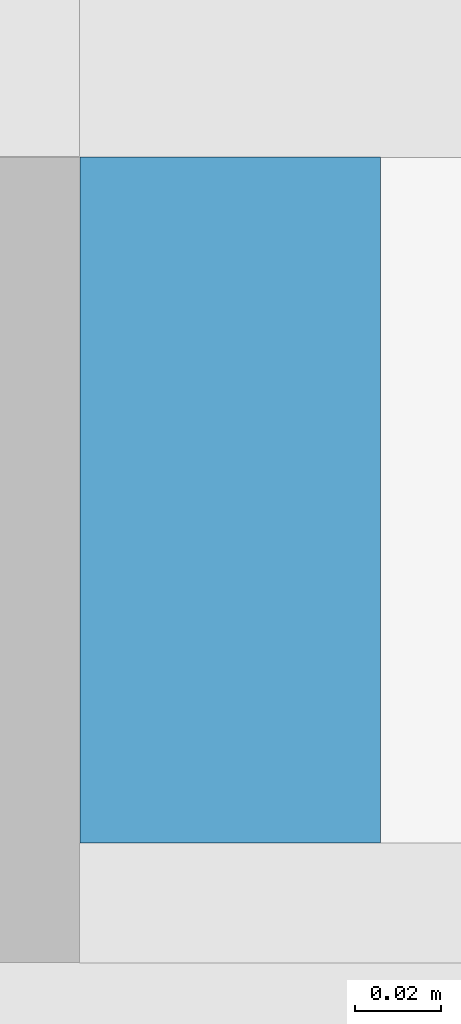
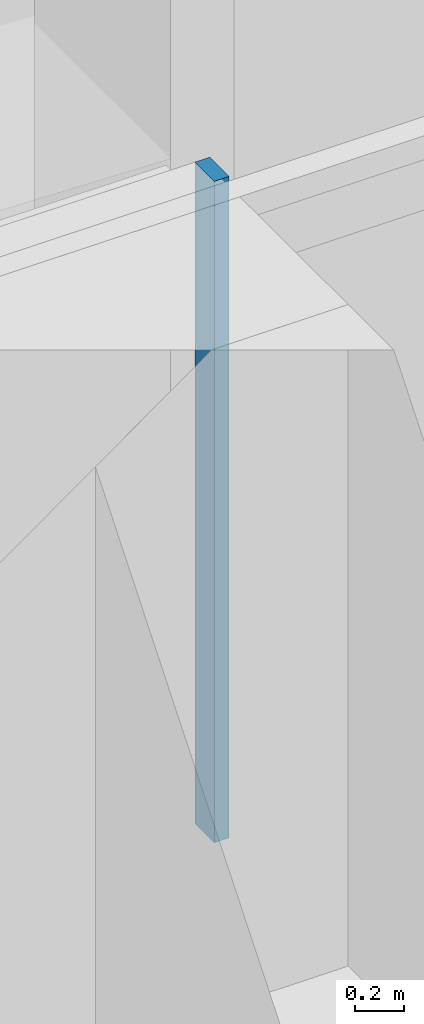
# One storey, part 10 of 30: 1 member, 1 element without a shape of its own.
"""IFC4 building model written with IfcOpenShell, lengths in metres."""

from ifc_helpers import new_model, si_unit, direction, frame, origin, origin_2d, place, context, subcontext, project, spatial, rectangle, extrude, material, material_profile, profile_set, type_object, element, aggregate, save


model = new_model("IFC4")

# Units and contexts
model_context = context("Model", 3, precision=1e-05, world=origin(), true_north=direction((0.0, 1.0)))
body_context = subcontext(model_context, "Body", "Model", "MODEL_VIEW")
ifc_project = project(units=[si_unit("LENGTHUNIT", "METRE"), si_unit("AREAUNIT", "SQUARE_METRE"), si_unit("VOLUMEUNIT", "CUBIC_METRE"), si_unit("PLANEANGLEUNIT", "RADIAN"), si_unit("MASSUNIT", "GRAM", prefix="KILO")], contexts=[model_context])

# Site, building, storey
site_placement = place(None, origin())
site = spatial("IfcSite", under=ifc_project, at=site_placement, CompositionType="ELEMENT")
building_placement = place(site_placement, origin())
building = spatial("IfcBuilding", under=site, at=building_placement, Name="Saffron Gate Tower", CompositionType="ELEMENT")
storey_placement = place(building_placement, frame((0.0, 0.0, 37.199951171875)))
storey = spatial("IfcBuildingStorey", under=building, at=storey_placement, Name="L07", CompositionType="ELEMENT", Elevation=37.199951171875)

# Curtain wall, member
ifc_material = material(Name="Aluminium, bronze anodised", Category="aluminium")
curtain_wall_type = type_object("IfcCurtainWallType", Name="CWS3 curtain wall rear facade", PredefinedType="NOTDEFINED", material=ifc_material)
curtain_wall_placement = place(storey_placement, origin())
curtain_wall = element("IfcCurtainWall", 1, at=curtain_wall_placement, inside=storey, type_object=curtain_wall_type, Name="CWS3 run 7", PredefinedType="NOTDEFINED")
ifc_material_profile = material_profile(ifc_material, rectangle(XDim=0.159912109375, YDim=0.070068359375, at=origin_2d()))
ifc_profile_set = profile_set([ifc_material_profile], Name="Aluminium, bronze anodised")
member_type = type_object("IfcMemberType", Name="CWS3 mullion 70x160", PredefinedType="MULLION", material=ifc_profile_set)
member_placement = place(storey_placement, frame((108.60009765625, 75.52001953125, 0.0), z_axis=(0.0, 0.0, 1.0), x_axis=(0.0, -1.0, 0.0)))
member = element("IfcMember", 2, at=member_placement, type_object=member_type, Name="CWS3 mullion 3", PredefinedType="MULLION", context=body_context, shape_type="SweptSolid", body=[
    extrude(rectangle(XDim=0.159912109375, YDim=0.070068359375, at=origin_2d()), origin(), (0.0, 0.0, 1.0), 3.320068359375),
])
aggregate(curtain_wall, [member])

save(model, "model.ifc")
